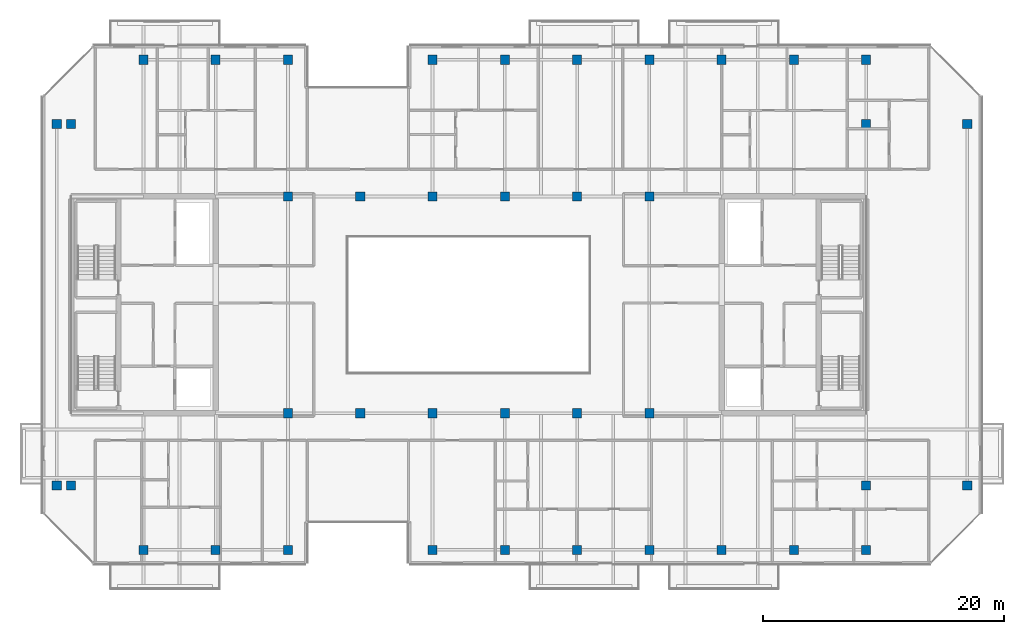
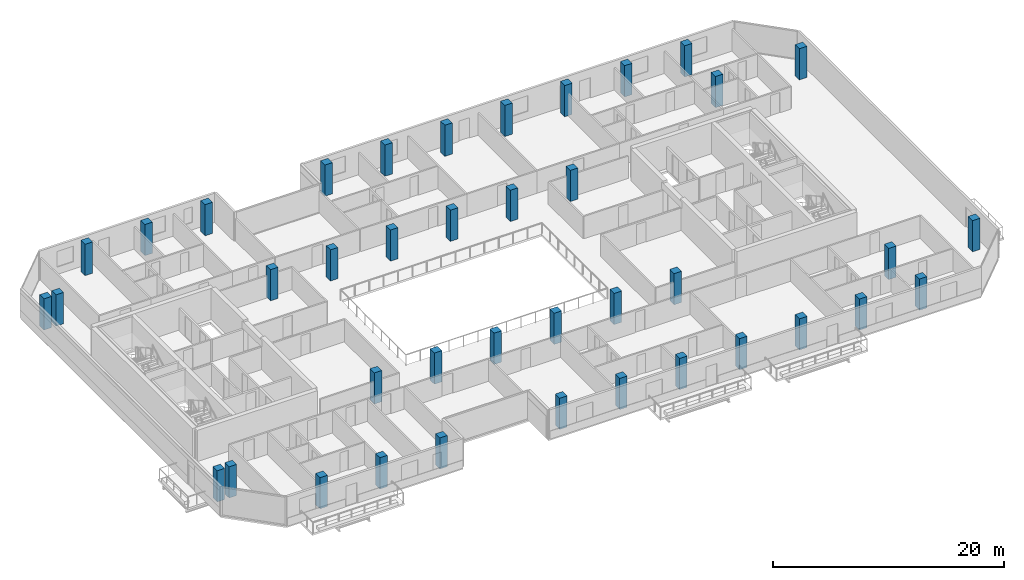
# One storey, part 1 of 28: 40 columns.
"""IFC4 building model written with IfcOpenShell, lengths in metres."""

from ifc_helpers import new_model, si_unit, direction, frame, origin, origin_2d, place, context, subcontext, project, spatial, rectangle, extrude, material, material_profile, profile_set, type_object, element, save


model = new_model("IFC4")

# Units and contexts
model_context = context("Model", 3, precision=1e-05, world=origin(), true_north=direction((0.0, 1.0)))
body_context = subcontext(model_context, "Body", "Model", "MODEL_VIEW")
ifc_project = project(units=[si_unit("LENGTHUNIT", "METRE"), si_unit("AREAUNIT", "SQUARE_METRE"), si_unit("VOLUMEUNIT", "CUBIC_METRE"), si_unit("PLANEANGLEUNIT", "RADIAN"), si_unit("MASSUNIT", "GRAM", prefix="KILO")], contexts=[model_context])

# Site, building, storey
site_placement = place(None, origin())
site = spatial("IfcSite", under=ifc_project, at=site_placement, CompositionType="ELEMENT")
building_placement = place(site_placement, origin())
building = spatial("IfcBuilding", under=site, at=building_placement, Name="Tanjung Sevakor Pilgrim Tower", CompositionType="ELEMENT")
storey_placement = place(building_placement, frame((0.0, 0.0, 222.75)))
storey = spatial("IfcBuildingStorey", under=building, at=storey_placement, Name="L62", CompositionType="ELEMENT", Elevation=222.75)

# Columns
ifc_material = material(Name="Concrete C60/75", Category="concrete")
ifc_material_profile = material_profile(ifc_material, rectangle(XDim=0.75, YDim=0.75, at=origin_2d()))
ifc_profile_set = profile_set([ifc_material_profile], Name="Concrete C60/75")
column_type = type_object("IfcColumnType", Name="COL-C-T750-RC_750x750", PredefinedType="COLUMN", material=ifc_profile_set)
for number, where, z_axis, x_axis, name in (
    (1, (42.0, 24.60009765625, 0.0), (0.0, 0.0, 1.0), (1.0, 0.0, 0.0), "L62 Column SPW-042-246"),
    (2, (42.0, 42.60009765625, 0.0), (0.0, 0.0, 1.0), (1.0, 0.0, 0.0), "L62 Column SPW-042-426"),
    (3, (48.0, 24.60009765625, 0.0), (0.0, 0.0, 1.0), (1.0, 0.0, 0.0), "L62 Column SPW-048-246"),
    (4, (48.0, 42.60009765625, 0.0), (0.0, 0.0, 1.0), (1.0, 0.0, 0.0), "L62 Column SPW-048-426"),
    (5, (54.0, 24.60009765625, 0.0), (0.0, 0.0, 1.0), (1.0, 0.0, 0.0), "L62 Column SPE-054-246"),
    (6, (54.0, 42.60009765625, 0.0), (0.0, 0.0, 1.0), (1.0, 0.0, 0.0), "L62 Column SPE-054-426"),
    (7, (60.0, 24.60009765625, 0.0), (0.0, 0.0, 1.0), (1.0, 0.0, 0.0), "L62 Column SPE-060-246"),
    (8, (60.0, 42.60009765625, 0.0), (0.0, 0.0, 1.0), (1.0, 0.0, 0.0), "L62 Column SPE-060-426"),
    (9, (66.0, 24.60009765625, 0.0), (0.0, 0.0, 1.0), (1.0, 0.0, 0.0), "L62 Column SPE-066-246"),
    (10, (66.0, 42.60009765625, 0.0), (0.0, 0.0, 1.0), (1.0, 0.0, 0.0), "L62 Column SPE-066-426"),
    (11, (72.0, 24.60009765625, 0.0), (0.0, 0.0, 1.0), (1.0, 0.0, 0.0), "L62 Column SPE-072-246"),
    (12, (72.0, 42.60009765625, 0.0), (0.0, 0.0, 1.0), (1.0, 0.0, 0.0), "L62 Column SPE-072-426"),
    (13, (22.800048828125, 18.60009765625, 0.0), (0.0, 0.0, 1.0), (1.0, 0.0, 0.0), "L62 Column TCE-0228-186"),
    (14, (22.800048828125, 48.60009765625, 0.0), (0.0, 0.0, 1.0), (1.0, 0.0, 0.0), "L62 Column TCE-0228-486"),
    (15, (24.0, 18.60009765625, 0.0), (0.0, 0.0, 1.0), (1.0, 0.0, 0.0), "L62 Column TCE-0240-186"),
    (16, (24.0, 48.60009765625, 0.0), (0.0, 0.0, 1.0), (1.0, 0.0, 0.0), "L62 Column TCE-0240-486"),
    (17, (90.0, 18.60009765625, 0.0), (0.0, 0.0, 1.0), (1.0, 0.0, 0.0), "L62 Column TCE-0900-186"),
    (18, (90.0, 48.60009765625, 0.0), (0.0, 0.0, 1.0), (1.0, 0.0, 0.0), "L62 Column TCE-0900-486"),
    (19, (98.39990234375, 18.60009765625, 0.0), (0.0, 0.0, 1.0), (1.0, 0.0, 0.0), "L62 Column TCE-0984-186"),
    (20, (98.39990234375, 48.60009765625, 0.0), (0.0, 0.0, 1.0), (1.0, 0.0, 0.0), "L62 Column TCE-0984-486"),
    (21, (30.0, 13.25, 0.0), (0.0, 0.0, 1.0), (1.0, 0.0, 0.0), "L62 Column TC4-030-132"),
    (22, (30.0, 53.949951171875, 0.0), (0.0, 0.0, 1.0), (1.0, 0.0, 0.0), "L62 Column TC4-030-540"),
    (23, (36.0, 13.25, 0.0), (0.0, 0.0, 1.0), (1.0, 0.0, 0.0), "L62 Column TC4-036-132"),
    (24, (36.0, 53.949951171875, 0.0), (0.0, 0.0, 1.0), (1.0, 0.0, 0.0), "L62 Column TC4-036-540"),
    (25, (42.0, 13.25, 0.0), (0.0, 0.0, 1.0), (1.0, 0.0, 0.0), "L62 Column TC4-042-132"),
    (26, (42.0, 53.949951171875, 0.0), (0.0, 0.0, 1.0), (1.0, 0.0, 0.0), "L62 Column TC4-042-540"),
    (27, (54.0, 13.25, 0.0), (0.0, 0.0, 1.0), (1.0, 0.0, 0.0), "L62 Column TC4-054-132"),
    (28, (54.0, 53.949951171875, 0.0), (0.0, 0.0, 1.0), (1.0, 0.0, 0.0), "L62 Column TC4-054-540"),
    (29, (60.0, 13.25, 0.0), (0.0, 0.0, 1.0), (1.0, 0.0, 0.0), "L62 Column TC4-060-132"),
    (30, (60.0, 53.949951171875, 0.0), (0.0, 0.0, 1.0), (1.0, 0.0, 0.0), "L62 Column TC4-060-540"),
    (31, (66.0, 13.25, 0.0), (0.0, 0.0, 1.0), (1.0, 0.0, 0.0), "L62 Column TC4-066-132"),
    (32, (66.0, 53.949951171875, 0.0), (0.0, 0.0, 1.0), (1.0, 0.0, 0.0), "L62 Column TC4-066-540"),
    (33, (72.0, 13.25, 0.0), (0.0, 0.0, 1.0), (1.0, 0.0, 0.0), "L62 Column TC4-072-132"),
    (34, (72.0, 53.949951171875, 0.0), (0.0, 0.0, 1.0), (1.0, 0.0, 0.0), "L62 Column TC4-072-540"),
    (35, (78.0, 13.25, 0.0), (0.0, 0.0, 1.0), (1.0, 0.0, 0.0), "L62 Column TC4-078-132"),
    (36, (78.0, 53.949951171875, 0.0), (0.0, 0.0, 1.0), (1.0, 0.0, 0.0), "L62 Column TC4-078-540"),
    (37, (84.0, 13.25, 0.0), (0.0, 0.0, 1.0), (1.0, 0.0, 0.0), "L62 Column TC4-084-132"),
    (38, (84.0, 53.949951171875, 0.0), (0.0, 0.0, 1.0), (1.0, 0.0, 0.0), "L62 Column TC4-084-540"),
    (39, (90.0, 13.25, 0.0), (0.0, 0.0, 1.0), (1.0, 0.0, 0.0), "L62 Column TC4-090-132"),
    (40, (90.0, 53.949951171875, 0.0), (0.0, 0.0, 1.0), (1.0, 0.0, 0.0), "L62 Column TC4-090-540"),
):
    element("IfcColumn", number, at=place(storey_placement, frame(where, z_axis=z_axis, x_axis=x_axis)), inside=storey, type_object=column_type, Name=name, PredefinedType="COLUMN", context=body_context, shape_type="SweptSolid", body=[
        extrude(rectangle(XDim=0.75, YDim=0.75, at=origin_2d()), origin(), (0.0, 0.0, 1.0), 3.300048828125),
    ])

save(model, "model.ifc")
